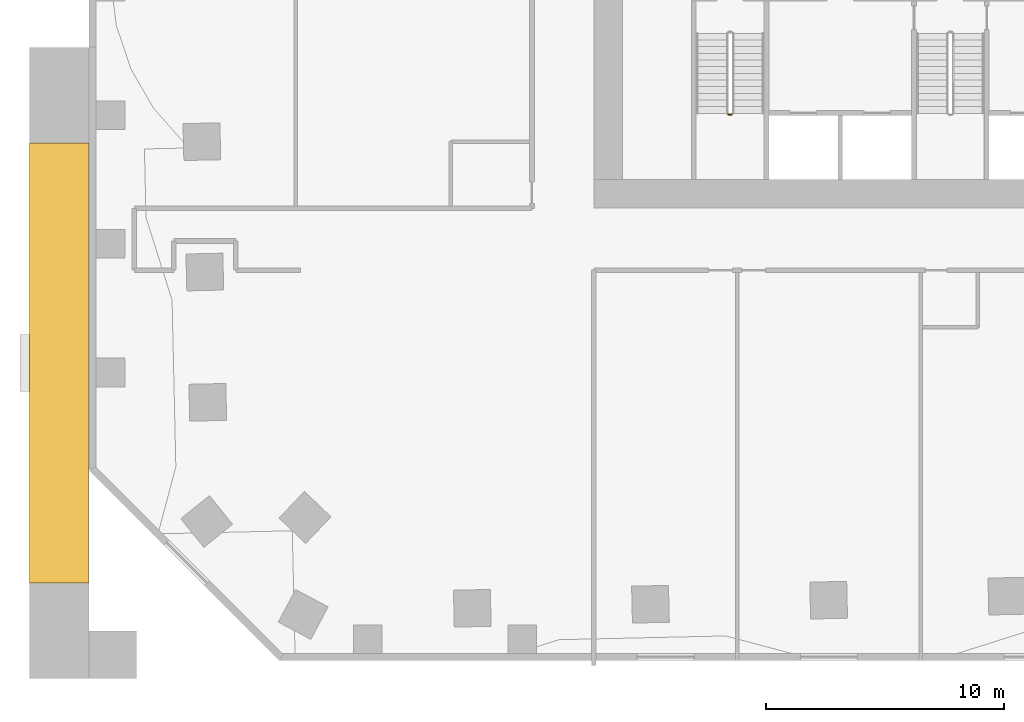
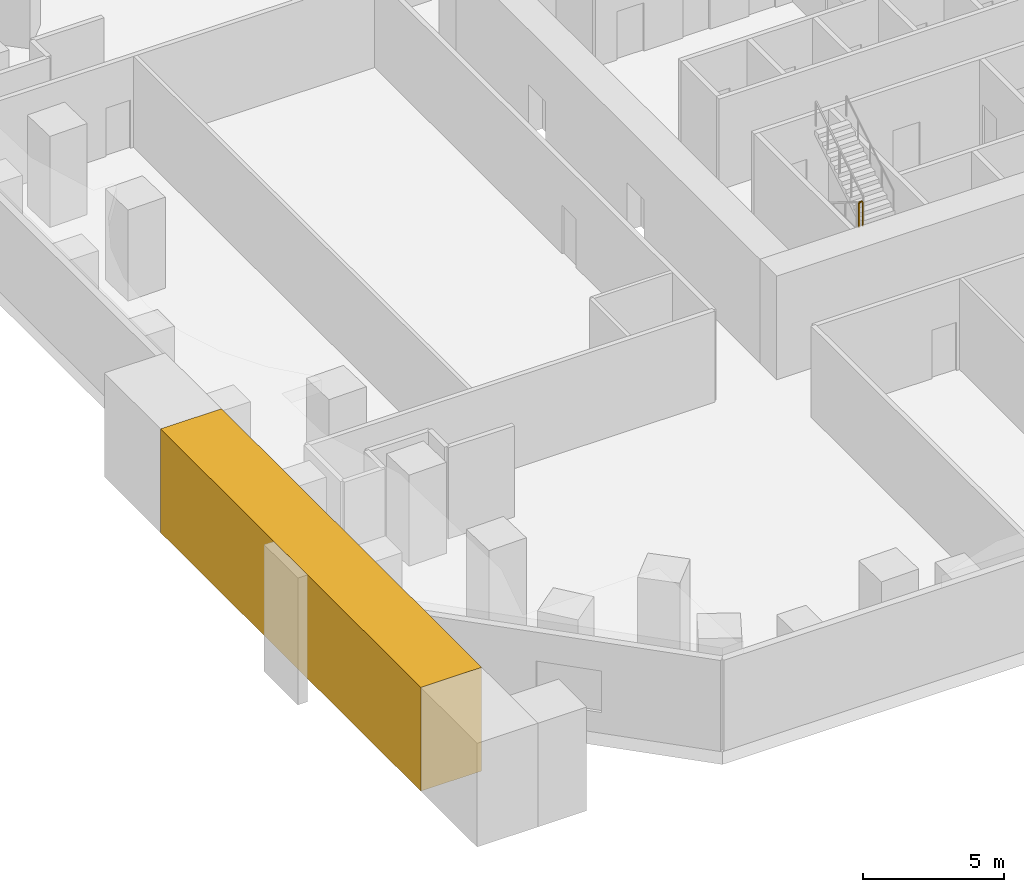
# One storey, part 10 of 12: 1 covering, 1 railing.
"""IFC4 building model written with IfcOpenShell, lengths in metres."""

import ifcopenshell
import ifcopenshell.guid

model = None  # the IFC model being written
_history = None  # IfcOwnerHistory: only IFC2X3 demands one
_inside = {}  # id of a spatial element -> (the spatial element, [elements in it])
_under = {}  # id of a project, library or spatial element -> (it, [spatial elements below it])
_declared = {}  # id of a project -> (the project, [libraries it declares])
_typed = {}  # id of a type object -> (the type object, [elements of that type])
_made_of = {}  # id of a material, layer set ... -> (it, [elements and type objects made of it])


def new_model(schema):
    """Start an empty IFC model of exactly this schema.

    Asked for "IFC4X3", IfcOpenShell would pick the latest addendum, in which some entities
    have other attributes; the version numbers below select the first issue.
    IFC2X3 requires an IfcOwnerHistory on every rooted entity: one is made here for all.
    """
    global model, _history
    if schema == "IFC4X3":
        model = ifcopenshell.file(schema_version=(4, 3, 0, 0))
    else:
        model = ifcopenshell.file(schema=schema)
    _inside.clear()
    _under.clear()
    _declared.clear()
    _typed.clear()
    _made_of.clear()
    _history = None
    if model.schema == "IFC2X3":
        org = make("IfcOrganization", Name="unknown")
        user = make(
            "IfcPersonAndOrganization",
            ThePerson=make("IfcPerson", FamilyName="unknown"),
            TheOrganization=org,
        )
        app = make(
            "IfcApplication",
            ApplicationDeveloper=org,
            Version="unknown",
            ApplicationFullName="unknown",
            ApplicationIdentifier="unknown",
        )
        _history = make(
            "IfcOwnerHistory",
            OwningUser=user,
            OwningApplication=app,
            ChangeAction="ADDED",
            CreationDate=0,
        )
    return model


def make(cls, **values):
    """One entity of the class cls with the attributes given. An attribute that is None is left unset."""
    return model.create_entity(
        cls, **{name: value for name, value in values.items() if value is not None}
    )


def rooted(cls, **values):
    """An entity with a GlobalId (a new one), such as an element, a storey or a relation."""
    return make(cls, GlobalId=ifcopenshell.guid.new(), OwnerHistory=_history, **values)


def si_unit(unit_type, name, prefix=None):
    """IfcSIUnit, for example si_unit("LENGTHUNIT", "METRE", prefix="MILLI")."""
    return make("IfcSIUnit", UnitType=unit_type, Prefix=prefix, Name=name)


def assignment(units):
    """IfcUnitAssignment: the units of a project."""
    return None if units is None else make("IfcUnitAssignment", Units=units)


def point(xyz):
    """IfcCartesianPoint."""
    return None if xyz is None else make("IfcCartesianPoint", Coordinates=xyz)


def direction(xyz):
    """IfcDirection."""
    return None if xyz is None else make("IfcDirection", DirectionRatios=xyz)


def frame(location, z_axis=None, x_axis=None):
    """IfcAxis2Placement3D, a coordinate frame: its origin and axes. An axis left out is left unset."""
    return make(
        "IfcAxis2Placement3D",
        Location=point(location),
        Axis=direction(z_axis),
        RefDirection=direction(x_axis),
    )


def frame_2d(location, x_axis=None):
    """IfcAxis2Placement2D, a coordinate frame in the plane: its origin and x axis."""
    return make(
        "IfcAxis2Placement2D", Location=point(location), RefDirection=direction(x_axis)
    )


def origin():
    """The frame at (0, 0, 0) with its axes left unset."""
    return frame((0.0, 0.0, 0.0))


def origin_2d():
    """The frame at (0, 0) in the plane with its x axis left unset."""
    return frame_2d((0.0, 0.0))


def place(relative_to, where):
    """IfcLocalPlacement: puts the frame where relative to a parent placement (None: the world)."""
    return make(
        "IfcLocalPlacement", PlacementRelTo=relative_to, RelativePlacement=where
    )


def context(
    kind, dimensions, precision=None, world=None, true_north=None, identifier=None
):
    """IfcGeometricRepresentationContext, for example the 3D "Model" context."""
    return make(
        "IfcGeometricRepresentationContext",
        ContextIdentifier=identifier,
        ContextType=kind,
        CoordinateSpaceDimension=dimensions,
        Precision=precision,
        WorldCoordinateSystem=world,
        TrueNorth=true_north,
    )


def subcontext(parent, identifier, kind, view, scale=None):
    """IfcGeometricRepresentationSubContext, for example "Body" below "Model"."""
    return make(
        "IfcGeometricRepresentationSubContext",
        ContextIdentifier=identifier,
        ContextType=kind,
        ParentContext=parent,
        TargetScale=scale,
        TargetView=view,
    )


def project(units=None, contexts=None):
    """IfcProject with its units and contexts."""
    return rooted(
        "IfcProject",
        Name="project",
        RepresentationContexts=contexts,
        UnitsInContext=assignment(units),
    )


def spatial(cls, under=None, at=None, **own):
    """A site, building, storey or space (cls), placed at a placement, below another one or the project."""
    s = rooted(cls, ObjectPlacement=at, **own)
    if under is not None:
        _under.setdefault(under.id(), (under, []))[1].append(s)
    return s


def profile(cls, at=None, kind="AREA", **sizes):
    """A parametric profile (cls). Its sizes go by their IFC names, for example OverallWidth=200.0."""
    return make(cls, ProfileType=kind, Position=at, **sizes)


def rectangle(**sizes):
    """IfcRectangleProfileDef."""
    return profile("IfcRectangleProfileDef", **sizes)


def extrude(swept, where, along, depth):
    """IfcExtrudedAreaSolid: the profile swept, set in the frame where, extruded along a direction by depth."""
    return make(
        "IfcExtrudedAreaSolid",
        SweptArea=swept,
        Position=where,
        ExtrudedDirection=direction(along),
        Depth=depth,
    )


def shape(context_of_items, identifier, shape_type, items):
    """IfcShapeRepresentation: the items that make up one representation, for example the "Body"."""
    return make(
        "IfcShapeRepresentation",
        ContextOfItems=context_of_items,
        RepresentationIdentifier=identifier,
        RepresentationType=shape_type,
        Items=items,
    )


def material(Name=None, Category=None):
    """IfcMaterial."""
    return make("IfcMaterial", Name=Name, Category=Category)


def layer(
    of_material, thickness, ventilated=None, Name=None, Category=None, Priority=None
):
    """IfcMaterialLayer: one layer of a wall or slab, of a material (None: an air gap)."""
    return make(
        "IfcMaterialLayer",
        Material=of_material,
        LayerThickness=thickness,
        IsVentilated=ventilated,
        Name=Name,
        Category=Category,
        Priority=Priority,
    )


def layer_set(layers, Name=None):
    """IfcMaterialLayerSet."""
    return make("IfcMaterialLayerSet", MaterialLayers=layers, LayerSetName=Name)


def made_of(thing, what):
    """Note that an element or type object is made of a material, layer set ...; save() writes the relation."""
    if what is not None:
        _made_of.setdefault(what.id(), (what, []))[1].append(thing)
    return thing


def type_object(cls, material=None, **own):
    """A type object (cls), such as IfcWallType, which elements share."""
    return made_of(rooted(cls, **own), material)


def element(
    cls,
    number,
    at=None,
    inside=None,
    cuts=None,
    type_object=None,
    material=None,
    context=None,
    identifier="Body",
    shape_type=None,
    held_by="IfcProductDefinitionShape",
    body=None,
    shapes=None,
    **own,
):
    """One element of the class cls, such as IfcWall. Its Tag is "e" and its number.

    at: its placement. inside: the storey or other place that contains it. cuts: it is an
    opening in that element (IfcRelVoidsElement). A single representation is given by context,
    identifier, shape_type and body (its items); several are given by shapes. held_by: the class
    of the entity that holds the representations. save() writes the other relations.
    """
    e = rooted(cls, Tag="e%d" % number, ObjectPlacement=at, **own)
    if body is not None:
        shapes = [shape(context, identifier, shape_type, body)]
    if shapes is not None:
        e.Representation = make(held_by, Representations=shapes)
    if inside is not None:
        _inside.setdefault(inside.id(), (inside, []))[1].append(e)
    if cuts is not None:
        rooted(
            "IfcRelVoidsElement", RelatingBuildingElement=cuts, RelatedOpeningElement=e
        )
    if type_object is not None:
        _typed.setdefault(type_object.id(), (type_object, []))[1].append(e)
    return made_of(e, material)


def aggregate(whole, parts):
    """IfcRelAggregates: a whole, such as a stair, and the parts it consists of."""
    return rooted("IfcRelAggregates", RelatingObject=whole, RelatedObjects=parts)


def save(model, path):
    """Write the relations noted so far, then the file.

    IfcRelAggregates (storeys below a building ...), IfcRelContainedInSpatialStructure (elements
    in a storey), IfcRelDefinesByType, IfcRelAssociatesMaterial and IfcRelDeclares: one each for
    every whole, place, type object, material and project.
    """
    for whole, parts in _under.values():
        aggregate(whole, parts)
    for where, things in _inside.values():
        rooted(
            "IfcRelContainedInSpatialStructure",
            RelatedElements=things,
            RelatingStructure=where,
        )
    for kind, things in _typed.values():
        rooted("IfcRelDefinesByType", RelatedObjects=things, RelatingType=kind)
    for what, things in _made_of.values():
        rooted("IfcRelAssociatesMaterial", RelatedObjects=things, RelatingMaterial=what)
    for by, libraries in _declared.values():
        rooted("IfcRelDeclares", RelatingContext=by, RelatedDefinitions=libraries)
    model.write(path)


model = new_model("IFC4")

# Units and contexts
model_context = context("Model", 3, precision=1e-05, world=origin(), true_north=direction((0.0, 1.0)))
body_context = subcontext(model_context, "Body", "Model", "MODEL_VIEW")
ifc_project = project(units=[si_unit("LENGTHUNIT", "METRE"), si_unit("AREAUNIT", "SQUARE_METRE"), si_unit("VOLUMEUNIT", "CUBIC_METRE"), si_unit("PLANEANGLEUNIT", "RADIAN"), si_unit("MASSUNIT", "GRAM", prefix="KILO")], contexts=[model_context])

# Site, building, storey
site_placement = place(None, origin())
site = spatial("IfcSite", under=ifc_project, at=site_placement, CompositionType="ELEMENT")
building_placement = place(site_placement, origin())
building = spatial("IfcBuilding", under=site, at=building_placement, Name="Mangrove Gate Tower", CompositionType="ELEMENT")
storey_placement = place(building_placement, frame((0.0, 0.0, 25.0)))
storey = spatial("IfcBuildingStorey", under=building, at=storey_placement, Name="L05", CompositionType="ELEMENT", Elevation=25.0)

# Railing
ifc_material_1 = material(Name="Stainless steel 316", Category="steel")
railing_type = type_object("IfcRailingType", Name="Core stair guard 1100", PredefinedType="GUARDRAIL", material=ifc_material_1)
railing_placement = place(storey_placement, frame((-9.35009765625, -8.06005859375, 2.25)))
element("IfcRailing", 1, at=railing_placement, inside=storey, type_object=railing_type, Name="L05 ST1 stair guard 2", PredefinedType="GUARDRAIL", context=body_context, shape_type="SweptSolid", body=[
    extrude(rectangle(XDim=0.048095703125, YDim=0.048095703125, at=origin_2d()), frame((0.0, 0.0, 1.076171875), z_axis=(1.0, 0.0, 0.0), x_axis=(0.0, 1.0, 0.0)), (0.0, 0.0, 1.0), 0.150146484375),
    extrude(rectangle(XDim=0.0419921875, YDim=0.0419921875, at=origin_2d()), origin(), (0.0, 0.0, 1.0), 1.052001953125),
    extrude(rectangle(XDim=0.0419921875, YDim=0.0419921875, at=origin_2d()), frame((0.150146484375, 0.0, 0.0)), (0.0, 0.0, 1.0), 1.052001953125),
])

# Covering
ifc_material_2 = material(Name="Limestone", Category="masonry")
ifc_layer_1 = layer(ifc_material_2, 0.06005859375, Name="Limestone cladding")
ifc_material_3 = material(Name="Concrete C40/50", Category="concrete")
ifc_layer_2 = layer(ifc_material_3, 2.340087890625, Name="Gate core wall")
ifc_layer_3 = layer(ifc_material_2, 0.10009765625, Name="Limestone reveal lining")
ifc_layer_set = layer_set([ifc_layer_1, ifc_layer_2, ifc_layer_3], Name="Stone gate head cladding 2500")
covering_type = type_object("IfcCoveringType", Name="Stone gate head cladding 2500", PredefinedType="CLADDING", material=ifc_layer_set)
covering_placement = place(storey_placement, frame((-37.449951171875, -27.75, 0.0), z_axis=(0.0, 0.0, 1.0), x_axis=(0.0, 1.0, 0.0)))
element("IfcCovering", 2, at=covering_placement, inside=storey, type_object=covering_type, Name="ARCH LINTEL W", PredefinedType="CLADDING", context=body_context, shape_type="SweptSolid", body=[
    extrude(rectangle(XDim=18.5, YDim=2.5, at=frame_2d((9.25, 0.0))), origin(), (0.0, 0.0, 1.0), 4.5),
])

save(model, "model.ifc")
